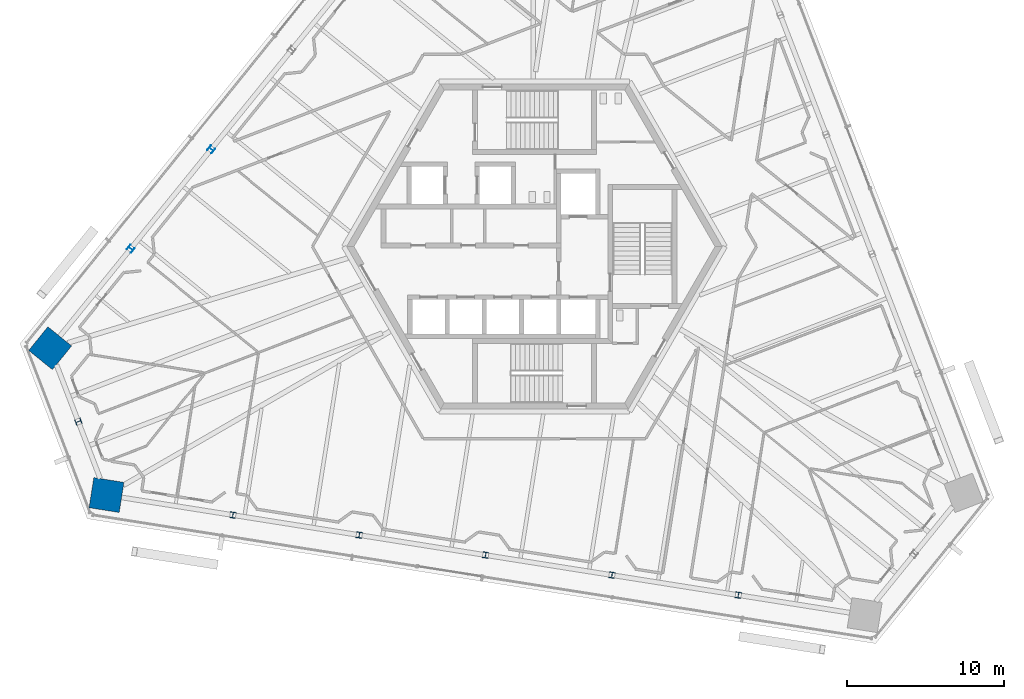
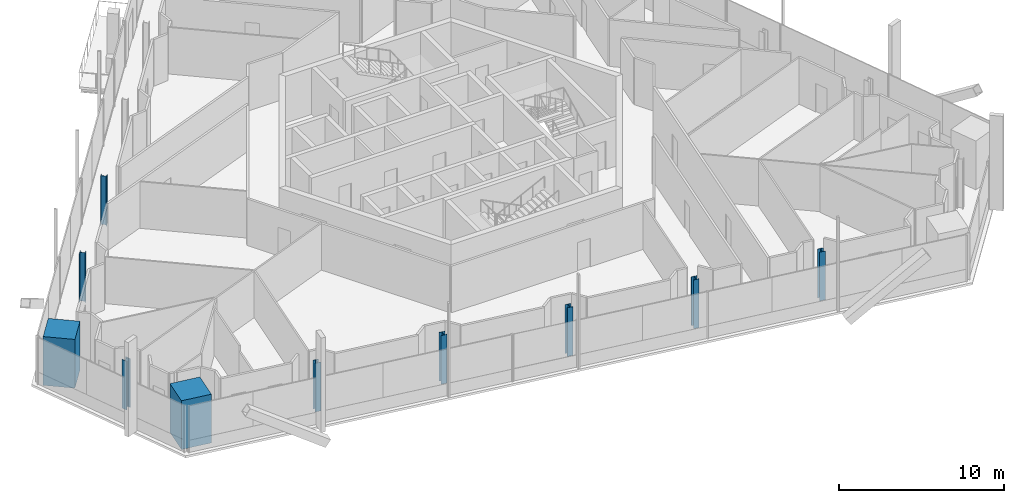
# One storey, part 1 of 23: 10 columns.
"""IFC4 building model written with IfcOpenShell, lengths in metres."""

import ifcopenshell
import ifcopenshell.guid

model = None  # the IFC model being written
_history = None  # IfcOwnerHistory: only IFC2X3 demands one
_inside = {}  # id of a spatial element -> (the spatial element, [elements in it])
_under = {}  # id of a project, library or spatial element -> (it, [spatial elements below it])
_declared = {}  # id of a project -> (the project, [libraries it declares])
_typed = {}  # id of a type object -> (the type object, [elements of that type])
_made_of = {}  # id of a material, layer set ... -> (it, [elements and type objects made of it])


def new_model(schema):
    """Start an empty IFC model of exactly this schema.

    Asked for "IFC4X3", IfcOpenShell would pick the latest addendum, in which some entities
    have other attributes; the version numbers below select the first issue.
    IFC2X3 requires an IfcOwnerHistory on every rooted entity: one is made here for all.
    """
    global model, _history
    if schema == "IFC4X3":
        model = ifcopenshell.file(schema_version=(4, 3, 0, 0))
    else:
        model = ifcopenshell.file(schema=schema)
    _inside.clear()
    _under.clear()
    _declared.clear()
    _typed.clear()
    _made_of.clear()
    _history = None
    if model.schema == "IFC2X3":
        org = make("IfcOrganization", Name="unknown")
        user = make(
            "IfcPersonAndOrganization",
            ThePerson=make("IfcPerson", FamilyName="unknown"),
            TheOrganization=org,
        )
        app = make(
            "IfcApplication",
            ApplicationDeveloper=org,
            Version="unknown",
            ApplicationFullName="unknown",
            ApplicationIdentifier="unknown",
        )
        _history = make(
            "IfcOwnerHistory",
            OwningUser=user,
            OwningApplication=app,
            ChangeAction="ADDED",
            CreationDate=0,
        )
    return model


def make(cls, **values):
    """One entity of the class cls with the attributes given. An attribute that is None is left unset."""
    return model.create_entity(
        cls, **{name: value for name, value in values.items() if value is not None}
    )


def rooted(cls, **values):
    """An entity with a GlobalId (a new one), such as an element, a storey or a relation."""
    return make(cls, GlobalId=ifcopenshell.guid.new(), OwnerHistory=_history, **values)


def si_unit(unit_type, name, prefix=None):
    """IfcSIUnit, for example si_unit("LENGTHUNIT", "METRE", prefix="MILLI")."""
    return make("IfcSIUnit", UnitType=unit_type, Prefix=prefix, Name=name)


def assignment(units):
    """IfcUnitAssignment: the units of a project."""
    return None if units is None else make("IfcUnitAssignment", Units=units)


def point(xyz):
    """IfcCartesianPoint."""
    return None if xyz is None else make("IfcCartesianPoint", Coordinates=xyz)


def direction(xyz):
    """IfcDirection."""
    return None if xyz is None else make("IfcDirection", DirectionRatios=xyz)


def frame(location, z_axis=None, x_axis=None):
    """IfcAxis2Placement3D, a coordinate frame: its origin and axes. An axis left out is left unset."""
    return make(
        "IfcAxis2Placement3D",
        Location=point(location),
        Axis=direction(z_axis),
        RefDirection=direction(x_axis),
    )


def frame_2d(location, x_axis=None):
    """IfcAxis2Placement2D, a coordinate frame in the plane: its origin and x axis."""
    return make(
        "IfcAxis2Placement2D", Location=point(location), RefDirection=direction(x_axis)
    )


def origin():
    """The frame at (0, 0, 0) with its axes left unset."""
    return frame((0.0, 0.0, 0.0))


def origin_2d():
    """The frame at (0, 0) in the plane with its x axis left unset."""
    return frame_2d((0.0, 0.0))


def place(relative_to, where):
    """IfcLocalPlacement: puts the frame where relative to a parent placement (None: the world)."""
    return make(
        "IfcLocalPlacement", PlacementRelTo=relative_to, RelativePlacement=where
    )


def context(
    kind, dimensions, precision=None, world=None, true_north=None, identifier=None
):
    """IfcGeometricRepresentationContext, for example the 3D "Model" context."""
    return make(
        "IfcGeometricRepresentationContext",
        ContextIdentifier=identifier,
        ContextType=kind,
        CoordinateSpaceDimension=dimensions,
        Precision=precision,
        WorldCoordinateSystem=world,
        TrueNorth=true_north,
    )


def subcontext(parent, identifier, kind, view, scale=None):
    """IfcGeometricRepresentationSubContext, for example "Body" below "Model"."""
    return make(
        "IfcGeometricRepresentationSubContext",
        ContextIdentifier=identifier,
        ContextType=kind,
        ParentContext=parent,
        TargetScale=scale,
        TargetView=view,
    )


def project(units=None, contexts=None):
    """IfcProject with its units and contexts."""
    return rooted(
        "IfcProject",
        Name="project",
        RepresentationContexts=contexts,
        UnitsInContext=assignment(units),
    )


def spatial(cls, under=None, at=None, **own):
    """A site, building, storey or space (cls), placed at a placement, below another one or the project."""
    s = rooted(cls, ObjectPlacement=at, **own)
    if under is not None:
        _under.setdefault(under.id(), (under, []))[1].append(s)
    return s


def profile(cls, at=None, kind="AREA", **sizes):
    """A parametric profile (cls). Its sizes go by their IFC names, for example OverallWidth=200.0."""
    return make(cls, ProfileType=kind, Position=at, **sizes)


def rectangle(**sizes):
    """IfcRectangleProfileDef."""
    return profile("IfcRectangleProfileDef", **sizes)


def i_section(**sizes):
    """IfcIShapeProfileDef."""
    return profile("IfcIShapeProfileDef", **sizes)


def extrude(swept, where, along, depth):
    """IfcExtrudedAreaSolid: the profile swept, set in the frame where, extruded along a direction by depth."""
    return make(
        "IfcExtrudedAreaSolid",
        SweptArea=swept,
        Position=where,
        ExtrudedDirection=direction(along),
        Depth=depth,
    )


def shape(context_of_items, identifier, shape_type, items):
    """IfcShapeRepresentation: the items that make up one representation, for example the "Body"."""
    return make(
        "IfcShapeRepresentation",
        ContextOfItems=context_of_items,
        RepresentationIdentifier=identifier,
        RepresentationType=shape_type,
        Items=items,
    )


def source(mapping_origin, context_of_items, identifier, shape_type, items):
    """IfcRepresentationMap: a shape defined once, which mapped items show again and again."""
    return make(
        "IfcRepresentationMap",
        MappingOrigin=mapping_origin,
        MappedRepresentation=shape(context_of_items, identifier, shape_type, items),
    )


def transform(
    local_origin,
    x_axis=None,
    y_axis=None,
    z_axis=None,
    scale=None,
    scale2=None,
    scale3=None,
    uniform=True,
):
    """IfcCartesianTransformationOperator3D, or its non-uniform kind. x_axis, y_axis, z_axis: its Axis1, 2, 3."""
    if uniform:
        return make(
            "IfcCartesianTransformationOperator3D",
            Axis1=direction(x_axis),
            Axis2=direction(y_axis),
            LocalOrigin=point(local_origin),
            Scale=scale,
            Axis3=direction(z_axis),
        )
    return make(
        "IfcCartesianTransformationOperator3DnonUniform",
        Axis1=direction(x_axis),
        Axis2=direction(y_axis),
        LocalOrigin=point(local_origin),
        Scale=scale,
        Axis3=direction(z_axis),
        Scale2=scale2,
        Scale3=scale3,
    )


def mapped(mapping_source, mapping_target):
    """IfcMappedItem: shows the shape of a source again, moved by a transform."""
    return make(
        "IfcMappedItem", MappingSource=mapping_source, MappingTarget=mapping_target
    )


def material(Name=None, Category=None):
    """IfcMaterial."""
    return make("IfcMaterial", Name=Name, Category=Category)


def material_profile(
    of_material, cross_section, Name=None, Category=None, Priority=None
):
    """IfcMaterialProfile: a cross section and its material."""
    return make(
        "IfcMaterialProfile",
        Name=Name,
        Material=of_material,
        Profile=cross_section,
        Priority=Priority,
        Category=Category,
    )


def profile_set(profiles, Name=None, composite=None):
    """IfcMaterialProfileSet."""
    return make(
        "IfcMaterialProfileSet",
        Name=Name,
        MaterialProfiles=profiles,
        CompositeProfile=composite,
    )


def made_of(thing, what):
    """Note that an element or type object is made of a material, layer set ...; save() writes the relation."""
    if what is not None:
        _made_of.setdefault(what.id(), (what, []))[1].append(thing)
    return thing


def type_object(cls, material=None, **own):
    """A type object (cls), such as IfcWallType, which elements share."""
    return made_of(rooted(cls, **own), material)


def element(
    cls,
    number,
    at=None,
    inside=None,
    cuts=None,
    type_object=None,
    material=None,
    context=None,
    identifier="Body",
    shape_type=None,
    held_by="IfcProductDefinitionShape",
    body=None,
    shapes=None,
    **own,
):
    """One element of the class cls, such as IfcWall. Its Tag is "e" and its number.

    at: its placement. inside: the storey or other place that contains it. cuts: it is an
    opening in that element (IfcRelVoidsElement). A single representation is given by context,
    identifier, shape_type and body (its items); several are given by shapes. held_by: the class
    of the entity that holds the representations. save() writes the other relations.
    """
    e = rooted(cls, Tag="e%d" % number, ObjectPlacement=at, **own)
    if body is not None:
        shapes = [shape(context, identifier, shape_type, body)]
    if shapes is not None:
        e.Representation = make(held_by, Representations=shapes)
    if inside is not None:
        _inside.setdefault(inside.id(), (inside, []))[1].append(e)
    if cuts is not None:
        rooted(
            "IfcRelVoidsElement", RelatingBuildingElement=cuts, RelatedOpeningElement=e
        )
    if type_object is not None:
        _typed.setdefault(type_object.id(), (type_object, []))[1].append(e)
    return made_of(e, material)


def aggregate(whole, parts):
    """IfcRelAggregates: a whole, such as a stair, and the parts it consists of."""
    return rooted("IfcRelAggregates", RelatingObject=whole, RelatedObjects=parts)


def save(model, path):
    """Write the relations noted so far, then the file.

    IfcRelAggregates (storeys below a building ...), IfcRelContainedInSpatialStructure (elements
    in a storey), IfcRelDefinesByType, IfcRelAssociatesMaterial and IfcRelDeclares: one each for
    every whole, place, type object, material and project.
    """
    for whole, parts in _under.values():
        aggregate(whole, parts)
    for where, things in _inside.values():
        rooted(
            "IfcRelContainedInSpatialStructure",
            RelatedElements=things,
            RelatingStructure=where,
        )
    for kind, things in _typed.values():
        rooted("IfcRelDefinesByType", RelatedObjects=things, RelatingType=kind)
    for what, things in _made_of.values():
        rooted("IfcRelAssociatesMaterial", RelatedObjects=things, RelatingMaterial=what)
    for by, libraries in _declared.values():
        rooted("IfcRelDeclares", RelatingContext=by, RelatedDefinitions=libraries)
    model.write(path)


model = new_model("IFC4")

# Units and contexts
model_context = context("Model", 3, precision=1e-05, world=origin(), true_north=direction((0.0, 1.0)))
body_context = subcontext(model_context, "Body", "Model", "MODEL_VIEW")
ifc_project = project(units=[si_unit("LENGTHUNIT", "METRE"), si_unit("AREAUNIT", "SQUARE_METRE"), si_unit("VOLUMEUNIT", "CUBIC_METRE"), si_unit("PLANEANGLEUNIT", "RADIAN"), si_unit("MASSUNIT", "GRAM", prefix="KILO")], contexts=[model_context])

# Site, building, storey
site_placement = place(None, origin())
site = spatial("IfcSite", under=ifc_project, at=site_placement, CompositionType="ELEMENT")
building_placement = place(site_placement, origin())
building = spatial("IfcBuilding", under=site, at=building_placement, Name="Triune Harvest Tower", CompositionType="ELEMENT")
storey_placement = place(building_placement, frame((0.0, 0.0, 167.699951171875)))
storey = spatial("IfcBuildingStorey", under=building, at=storey_placement, Name="L43", CompositionType="ELEMENT", Elevation=167.699951171875)

# Columns
ifc_material_1 = material(Name="Concrete 70 MPa", Category="concrete")
ifc_material_profile_1 = material_profile(ifc_material_1, rectangle(XDim=1.949951171875, YDim=1.949951171875, at=origin_2d()), Name="Composite 1950x1950")
ifc_profile_set_1 = profile_set([ifc_material_profile_1], Name="Concrete 70 MPa")
column_type_1 = type_object("IfcColumnType", Name="MC-4 Mega column Composite 1950x1950", PredefinedType="COLUMN", material=ifc_profile_set_1)
shared_shape_1 = source(origin(), body_context, "Body", "SweptSolid", [
    extrude(rectangle(XDim=1.949951171875, YDim=1.949951171875, at=origin_2d()), origin(), (0.0, 0.0, 1.0), 3.60009765625),
])
for number, where, z_axis, x_axis, name in (
    (1, (-30.947509765625, -6.4970703125, 0.0), (0.0, 0.0, 1.0), (-0.629321747424, -0.777144863084, 0.0), "col/L43/M14"),
    (2, (-27.345703125, -15.879638671875, 0.0), (0.0, 0.0, 1.0), (0.987688340595, -0.15643446504, 0.0), "col/L43/M16"),
):
    element("IfcColumn", number, at=place(storey_placement, frame(where, z_axis=z_axis, x_axis=x_axis)), inside=storey, type_object=column_type_1, Name=name, PredefinedType="COLUMN", context=body_context, shape_type="MappedRepresentation", body=[
        mapped(shared_shape_1, transform((0.0, 0.0, 0.0), scale=1.0)),
    ])
ifc_material_2 = material(Name="Steel ASTM A992 Gr 50", Category="steel")
ifc_material_profile_2 = material_profile(ifc_material_2, i_section(OverallWidth=0.373291015625, OverallDepth=0.373291015625, WebThickness=0.016357421875, FlangeThickness=0.026123046875, at=origin_2d()), Name="W14x132")
ifc_profile_set_2 = profile_set([ifc_material_profile_2], Name="Steel ASTM A992 Gr 50")
column_type_2 = type_object("IfcColumnType", Name="PC-4 Perimeter column W14x132", PredefinedType="COLUMN", material=ifc_profile_set_2)
shared_shape_2 = source(origin(), body_context, "Body", "SweptSolid", [
    extrude(i_section(OverallWidth=0.373291015625, OverallDepth=0.373291015625, WebThickness=0.016357421875, FlangeThickness=0.026123046875, at=origin_2d()), origin(), (0.0, 0.0, 1.0), 3.60009765625),
])
for number, where, z_axis, x_axis, name in (
    (3, (-20.657958984375, 6.209228515625, 0.0), (0.0, 0.0, 1.0), (-0.629321747424, -0.777144863084, 0.0), "col/L43/P12"),
    (4, (-25.802734375, -0.143798828125, 0.0), (0.0, 0.0, 1.0), (-0.629321747424, -0.777144863084, 0.0), "col/L43/P13"),
    (5, (-29.146484375, -11.188232421875, 0.0), (0.0, 0.0, 1.0), (0.35836632014, -0.933581051966, 0.0), "col/L43/P15"),
    (6, (-19.271484375, -17.158447265625, 0.0), (0.0, 0.0, 1.0), (0.987688340595, -0.15643446504, 0.0), "col/L43/P17"),
    (7, (-11.197021484375, -18.437255859375, 0.0), (0.0, 0.0, 1.0), (0.987688340595, -0.15643446504, 0.0), "col/L43/P18"),
    (8, (-3.122802734375, -19.716064453125, 0.0), (0.0, 0.0, 1.0), (0.987688340595, -0.15643446504, 0.0), "col/L43/P19"),
    (9, (4.95166015625, -20.9951171875, 0.0), (0.0, 0.0, 1.0), (0.987688340595, -0.15643446504, 0.0), "col/L43/P20"),
    (10, (13.02587890625, -22.27392578125, 0.0), (0.0, 0.0, 1.0), (0.987688340595, -0.15643446504, 0.0), "col/L43/P21"),
):
    element("IfcColumn", number, at=place(storey_placement, frame(where, z_axis=z_axis, x_axis=x_axis)), inside=storey, type_object=column_type_2, Name=name, PredefinedType="COLUMN", context=body_context, shape_type="MappedRepresentation", body=[
        mapped(shared_shape_2, transform((0.0, 0.0, 0.0), scale=1.0)),
    ])

save(model, "model.ifc")
